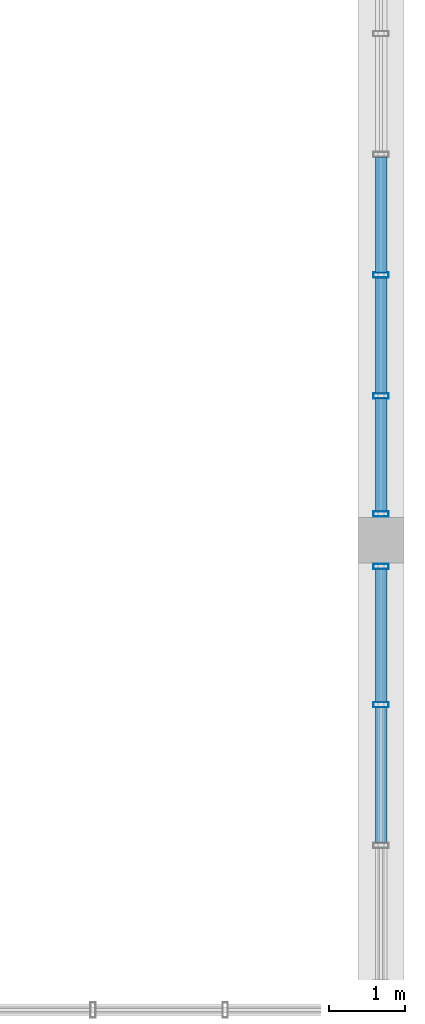
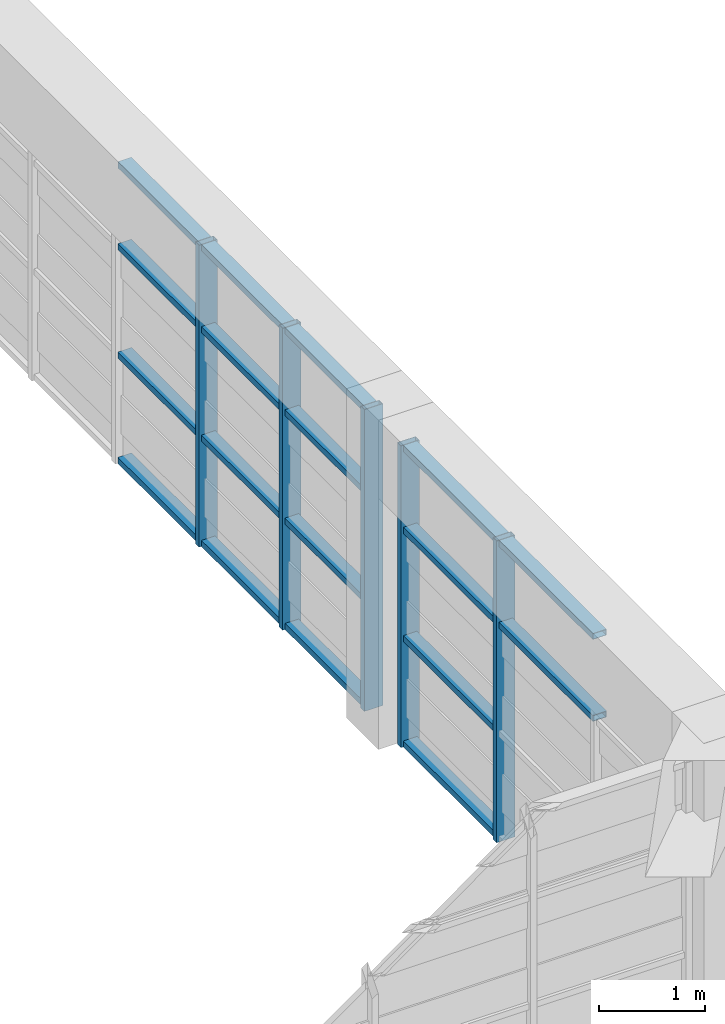
# One storey, part 7 of 27: 23 members, 2 elements without a shape of their own.
"""IFC4 building model written with IfcOpenShell, lengths in metres."""

from ifc_helpers import new_model, si_unit, direction, frame, origin, origin_2d, place, context, subcontext, project, spatial, hollow_rectangle, extrude, source, transform, mapped, material, layer, layer_set, material_profile, profile_set, type_object, element, aggregate, save


model = new_model("IFC4")

# Units and contexts
model_context = context("Model", 3, precision=1e-05, world=origin(), true_north=direction((0.0, 1.0)))
body_context = subcontext(model_context, "Body", "Model", "MODEL_VIEW")
ifc_project = project(units=[si_unit("LENGTHUNIT", "METRE"), si_unit("AREAUNIT", "SQUARE_METRE"), si_unit("VOLUMEUNIT", "CUBIC_METRE"), si_unit("PLANEANGLEUNIT", "RADIAN"), si_unit("MASSUNIT", "GRAM", prefix="KILO")], contexts=[model_context])

# Site, building, storey
site_placement = place(None, origin())
site = spatial("IfcSite", under=ifc_project, at=site_placement, CompositionType="ELEMENT")
building_placement = place(site_placement, origin())
building = spatial("IfcBuilding", under=site, at=building_placement, Name="Saelheon Loggia Tower", CompositionType="ELEMENT")
storey_placement = place(building_placement, frame((0.0, 0.0, 263.60009765625)))
storey = spatial("IfcBuildingStorey", under=building, at=storey_placement, Name="CR4", CompositionType="ELEMENT", Elevation=263.60009765625)

# Curtain wall, members
ifc_material_1 = material(Name="Bronze-Anodised Aluminium and Fritted Ceramic Screen", Category="aluminium")
ifc_layer = layer(ifc_material_1, 0.219970703125)
ifc_layer_set = layer_set([ifc_layer], Name="Bronze-Anodised Aluminium and Fritted Ceramic Screen")
curtain_wall_type = type_object("IfcCurtainWallType", Name="CW_CrownScreen", PredefinedType="NOTDEFINED", material=ifc_layer_set)
curtain_wall_1_placement = place(storey_placement, origin())
curtain_wall_1 = element("IfcCurtainWall", 1, at=curtain_wall_1_placement, inside=storey, type_object=curtain_wall_type, Name="CR4 Crown Screen Curtain Wall 3-1", PredefinedType="NOTDEFINED")
ifc_material_2 = material(Name="Bronze-Anodised Aluminium 6063-T6", Category="aluminium")
ifc_material_profile_1 = material_profile(ifc_material_2, hollow_rectangle(XDim=0.070068359375, YDim=0.199951171875, WallThickness=0.0048828125, at=origin_2d()), Name="RHS-200x70x5")
ifc_profile_set_1 = profile_set([ifc_material_profile_1], Name="Bronze-Anodised Aluminium 6063-T6")
member_type_1 = type_object("IfcMemberType", Name="CW_CrownScreen_Mullion", PredefinedType="MULLION", material=ifc_profile_set_1)
shared_shape_1 = source(origin(), body_context, "Body", "SweptSolid", [
    extrude(hollow_rectangle(XDim=0.070068359375, YDim=0.199951171875, WallThickness=0.0048828125, at=origin_2d()), origin(), (0.0, 0.0, 1.0), 3.47998046875),
])
member_1_placement = place(storey_placement, frame((52.64990234375, 15.8466796875, 0.0), z_axis=(0.0, 0.0, 1.0), x_axis=(0.0, 1.0, 0.0)))
member_1 = element("IfcMember", 2, at=member_1_placement, type_object=member_type_1, Name="CW6 mullion 3", PredefinedType="MULLION", context=body_context, shape_type="MappedRepresentation", body=[
    mapped(shared_shape_1, transform((0.0, 0.0, 0.0), scale=1.0)),
])
member_2_placement = place(storey_placement, frame((52.64990234375, 17.655029296875, 0.0), z_axis=(0.0, 0.0, 1.0), x_axis=(0.0, 1.0, 0.0)))
member_2 = element("IfcMember", 3, at=member_2_placement, type_object=member_type_1, Name="CW6 mullion 4", PredefinedType="MULLION", context=body_context, shape_type="MappedRepresentation", body=[
    mapped(shared_shape_1, transform((0.0, 0.0, 0.0), scale=1.0)),
])

curtain_wall_2_placement = place(storey_placement, origin())
curtain_wall_2 = element("IfcCurtainWall", 4, at=curtain_wall_2_placement, inside=storey, type_object=curtain_wall_type, Name="CR4 Crown Screen Curtain Wall 3-2", PredefinedType="NOTDEFINED")
member_3_placement = place(storey_placement, frame((52.64990234375, 18.344970703125, 0.0), z_axis=(0.0, 0.0, 1.0), x_axis=(0.0, 1.0, 0.0)))
member_3 = element("IfcMember", 5, at=member_3_placement, type_object=member_type_1, Name="CW6 mullion 1", PredefinedType="MULLION", context=body_context, shape_type="MappedRepresentation", body=[
    mapped(shared_shape_1, transform((0.0, 0.0, 0.0), scale=1.0)),
])
member_4_placement = place(storey_placement, frame((52.64990234375, 19.889892578125, 0.0), z_axis=(0.0, 0.0, 1.0), x_axis=(0.0, 1.0, 0.0)))
member_4 = element("IfcMember", 6, at=member_4_placement, type_object=member_type_1, Name="CW6 mullion 2", PredefinedType="MULLION", context=body_context, shape_type="MappedRepresentation", body=[
    mapped(shared_shape_1, transform((0.0, 0.0, 0.0), scale=1.0)),
])
member_5_placement = place(storey_placement, frame((52.64990234375, 21.469970703125, 0.0), z_axis=(0.0, 0.0, 1.0), x_axis=(0.0, 1.0, 0.0)))
member_5 = element("IfcMember", 7, at=member_5_placement, type_object=member_type_1, Name="CW6 mullion 3", PredefinedType="MULLION", context=body_context, shape_type="MappedRepresentation", body=[
    mapped(shared_shape_1, transform((0.0, 0.0, 0.0), scale=1.0)),
])

# Member
ifc_material_profile_2 = material_profile(ifc_material_2, hollow_rectangle(XDim=0.070068359375, YDim=0.14990234375, WallThickness=0.0048828125, at=origin_2d()), Name="RHS-150x70x5")
ifc_profile_set_2 = profile_set([ifc_material_profile_2], Name="Bronze-Anodised Aluminium 6063-T6")
member_type_2 = type_object("IfcMemberType", Name="CW_CrownScreen_Transom", PredefinedType="USERDEFINED", material=ifc_profile_set_2)
shared_shape_2 = source(origin(), body_context, "Body", "SweptSolid", [
    extrude(hollow_rectangle(XDim=0.070068359375, YDim=0.14990234375, WallThickness=0.0048828125, at=origin_2d()), origin(), (0.0, 0.0, 1.0), 1.7734375),
])
member_6_placement = place(storey_placement, frame((52.64990234375, 14.038330078125, 2.5), z_axis=(0.0, 1.0, 0.0), x_axis=(0.0, 0.0, 1.0)))
member_6 = element("IfcMember", 8, at=member_6_placement, type_object=member_type_2, Name="CW6 transom 2.3", ObjectType="TRANSOM", PredefinedType="USERDEFINED", context=body_context, shape_type="MappedRepresentation", body=[
    mapped(shared_shape_2, transform((0.0, 0.0, 0.0), scale=1.0)),
])

member_7_placement = place(storey_placement, frame((52.64990234375, 14.038330078125, 3.44482421875), z_axis=(0.0, 1.0, 0.0), x_axis=(0.0, 0.0, 1.0)))
member_7 = element("IfcMember", 9, at=member_7_placement, type_object=member_type_2, Name="CW6 transom 2.4", ObjectType="TRANSOM", PredefinedType="USERDEFINED", context=body_context, shape_type="MappedRepresentation", body=[
    mapped(shared_shape_2, transform((0.0, 0.0, 0.0), scale=1.0)),
])

shared_shape_3 = source(origin(), body_context, "Body", "SweptSolid", [
    extrude(hollow_rectangle(XDim=0.070068359375, YDim=0.14990234375, WallThickness=0.0048828125, at=origin_2d()), origin(), (0.0, 0.0, 1.0), 1.738525390625),
])
member_8_placement = place(storey_placement, frame((52.64990234375, 15.881591796875, 0.034912109375), z_axis=(0.0, 1.0, 0.0), x_axis=(0.0, 0.0, 1.0)))
member_8 = element("IfcMember", 10, at=member_8_placement, type_object=member_type_2, Name="CW6 transom 3.1", ObjectType="TRANSOM", PredefinedType="USERDEFINED", context=body_context, shape_type="MappedRepresentation", body=[
    mapped(shared_shape_3, transform((0.0, 0.0, 0.0), scale=1.0)),
])

member_9_placement = place(storey_placement, frame((52.64990234375, 15.881591796875, 1.25), z_axis=(0.0, 1.0, 0.0), x_axis=(0.0, 0.0, 1.0)))
member_9 = element("IfcMember", 11, at=member_9_placement, type_object=member_type_2, Name="CW6 transom 3.2", ObjectType="TRANSOM", PredefinedType="USERDEFINED", context=body_context, shape_type="MappedRepresentation", body=[
    mapped(shared_shape_3, transform((0.0, 0.0, 0.0), scale=1.0)),
])

member_10_placement = place(storey_placement, frame((52.64990234375, 15.881591796875, 2.5), z_axis=(0.0, 1.0, 0.0), x_axis=(0.0, 0.0, 1.0)))
member_10 = element("IfcMember", 12, at=member_10_placement, type_object=member_type_2, Name="CW6 transom 3.3", ObjectType="TRANSOM", PredefinedType="USERDEFINED", context=body_context, shape_type="MappedRepresentation", body=[
    mapped(shared_shape_3, transform((0.0, 0.0, 0.0), scale=1.0)),
])

member_11_placement = place(storey_placement, frame((52.64990234375, 15.881591796875, 3.44482421875), z_axis=(0.0, 1.0, 0.0), x_axis=(0.0, 0.0, 1.0)))
member_11 = element("IfcMember", 13, at=member_11_placement, type_object=member_type_2, Name="CW6 transom 3.4", ObjectType="TRANSOM", PredefinedType="USERDEFINED", context=body_context, shape_type="MappedRepresentation", body=[
    mapped(shared_shape_3, transform((0.0, 0.0, 0.0), scale=1.0)),
])

aggregate(curtain_wall_1, [member_1, member_2, member_6, member_7, member_8, member_9, member_10, member_11])

shared_shape_4 = source(origin(), body_context, "Body", "SweptSolid", [
    extrude(hollow_rectangle(XDim=0.070068359375, YDim=0.14990234375, WallThickness=0.0048828125, at=origin_2d()), origin(), (0.0, 0.0, 1.0), 1.47509765625),
])
member_12_placement = place(storey_placement, frame((52.64990234375, 18.3798828125, 0.034912109375), z_axis=(0.0, 1.0, 0.0), x_axis=(0.0, 0.0, 1.0)))
member_12 = element("IfcMember", 14, at=member_12_placement, type_object=member_type_2, Name="CW6 transom 1.1", ObjectType="TRANSOM", PredefinedType="USERDEFINED", context=body_context, shape_type="MappedRepresentation", body=[
    mapped(shared_shape_4, transform((0.0, 0.0, 0.0), scale=1.0)),
])

member_13_placement = place(storey_placement, frame((52.64990234375, 18.3798828125, 1.25), z_axis=(0.0, 1.0, 0.0), x_axis=(0.0, 0.0, 1.0)))
member_13 = element("IfcMember", 15, at=member_13_placement, type_object=member_type_2, Name="CW6 transom 1.2", ObjectType="TRANSOM", PredefinedType="USERDEFINED", context=body_context, shape_type="MappedRepresentation", body=[
    mapped(shared_shape_4, transform((0.0, 0.0, 0.0), scale=1.0)),
])

member_14_placement = place(storey_placement, frame((52.64990234375, 18.3798828125, 2.5), z_axis=(0.0, 1.0, 0.0), x_axis=(0.0, 0.0, 1.0)))
member_14 = element("IfcMember", 16, at=member_14_placement, type_object=member_type_2, Name="CW6 transom 1.3", ObjectType="TRANSOM", PredefinedType="USERDEFINED", context=body_context, shape_type="MappedRepresentation", body=[
    mapped(shared_shape_4, transform((0.0, 0.0, 0.0), scale=1.0)),
])

member_15_placement = place(storey_placement, frame((52.64990234375, 18.3798828125, 3.44482421875), z_axis=(0.0, 1.0, 0.0), x_axis=(0.0, 0.0, 1.0)))
member_15 = element("IfcMember", 17, at=member_15_placement, type_object=member_type_2, Name="CW6 transom 1.4", ObjectType="TRANSOM", PredefinedType="USERDEFINED", context=body_context, shape_type="MappedRepresentation", body=[
    mapped(shared_shape_4, transform((0.0, 0.0, 0.0), scale=1.0)),
])

shared_shape_5 = source(origin(), body_context, "Body", "SweptSolid", [
    extrude(hollow_rectangle(XDim=0.070068359375, YDim=0.14990234375, WallThickness=0.0048828125, at=origin_2d()), origin(), (0.0, 0.0, 1.0), 1.510009765625),
])
member_16_placement = place(storey_placement, frame((52.64990234375, 19.925048828125, 0.034912109375), z_axis=(0.0, 1.0, 0.0), x_axis=(0.0, 0.0, 1.0)))
member_16 = element("IfcMember", 18, at=member_16_placement, type_object=member_type_2, Name="CW6 transom 2.1", ObjectType="TRANSOM", PredefinedType="USERDEFINED", context=body_context, shape_type="MappedRepresentation", body=[
    mapped(shared_shape_5, transform((0.0, 0.0, 0.0), scale=1.0)),
])

member_17_placement = place(storey_placement, frame((52.64990234375, 19.925048828125, 1.25), z_axis=(0.0, 1.0, 0.0), x_axis=(0.0, 0.0, 1.0)))
member_17 = element("IfcMember", 19, at=member_17_placement, type_object=member_type_2, Name="CW6 transom 2.2", ObjectType="TRANSOM", PredefinedType="USERDEFINED", context=body_context, shape_type="MappedRepresentation", body=[
    mapped(shared_shape_5, transform((0.0, 0.0, 0.0), scale=1.0)),
])

member_18_placement = place(storey_placement, frame((52.64990234375, 19.925048828125, 2.5), z_axis=(0.0, 1.0, 0.0), x_axis=(0.0, 0.0, 1.0)))
member_18 = element("IfcMember", 20, at=member_18_placement, type_object=member_type_2, Name="CW6 transom 2.3", ObjectType="TRANSOM", PredefinedType="USERDEFINED", context=body_context, shape_type="MappedRepresentation", body=[
    mapped(shared_shape_5, transform((0.0, 0.0, 0.0), scale=1.0)),
])

member_19_placement = place(storey_placement, frame((52.64990234375, 19.925048828125, 3.44482421875), z_axis=(0.0, 1.0, 0.0), x_axis=(0.0, 0.0, 1.0)))
member_19 = element("IfcMember", 21, at=member_19_placement, type_object=member_type_2, Name="CW6 transom 2.4", ObjectType="TRANSOM", PredefinedType="USERDEFINED", context=body_context, shape_type="MappedRepresentation", body=[
    mapped(shared_shape_5, transform((0.0, 0.0, 0.0), scale=1.0)),
])

member_20_placement = place(storey_placement, frame((52.64990234375, 21.5048828125, 0.034912109375), z_axis=(0.0, 1.0, 0.0), x_axis=(0.0, 0.0, 1.0)))
member_20 = element("IfcMember", 22, at=member_20_placement, type_object=member_type_2, Name="CW6 transom 3.1", ObjectType="TRANSOM", PredefinedType="USERDEFINED", context=body_context, shape_type="MappedRepresentation", body=[
    mapped(shared_shape_5, transform((0.0, 0.0, 0.0), scale=1.0)),
])

member_21_placement = place(storey_placement, frame((52.64990234375, 21.5048828125, 1.25), z_axis=(0.0, 1.0, 0.0), x_axis=(0.0, 0.0, 1.0)))
member_21 = element("IfcMember", 23, at=member_21_placement, type_object=member_type_2, Name="CW6 transom 3.2", ObjectType="TRANSOM", PredefinedType="USERDEFINED", context=body_context, shape_type="MappedRepresentation", body=[
    mapped(shared_shape_5, transform((0.0, 0.0, 0.0), scale=1.0)),
])

member_22_placement = place(storey_placement, frame((52.64990234375, 21.5048828125, 2.5), z_axis=(0.0, 1.0, 0.0), x_axis=(0.0, 0.0, 1.0)))
member_22 = element("IfcMember", 24, at=member_22_placement, type_object=member_type_2, Name="CW6 transom 3.3", ObjectType="TRANSOM", PredefinedType="USERDEFINED", context=body_context, shape_type="MappedRepresentation", body=[
    mapped(shared_shape_5, transform((0.0, 0.0, 0.0), scale=1.0)),
])

member_23_placement = place(storey_placement, frame((52.64990234375, 21.5048828125, 3.44482421875), z_axis=(0.0, 1.0, 0.0), x_axis=(0.0, 0.0, 1.0)))
member_23 = element("IfcMember", 25, at=member_23_placement, type_object=member_type_2, Name="CW6 transom 3.4", ObjectType="TRANSOM", PredefinedType="USERDEFINED", context=body_context, shape_type="MappedRepresentation", body=[
    mapped(shared_shape_5, transform((0.0, 0.0, 0.0), scale=1.0)),
])

aggregate(curtain_wall_2, [member_3, member_4, member_5, member_12, member_13, member_14, member_15, member_16, member_17, member_18, member_19, member_20, member_21, member_22, member_23])

save(model, "model.ifc")
